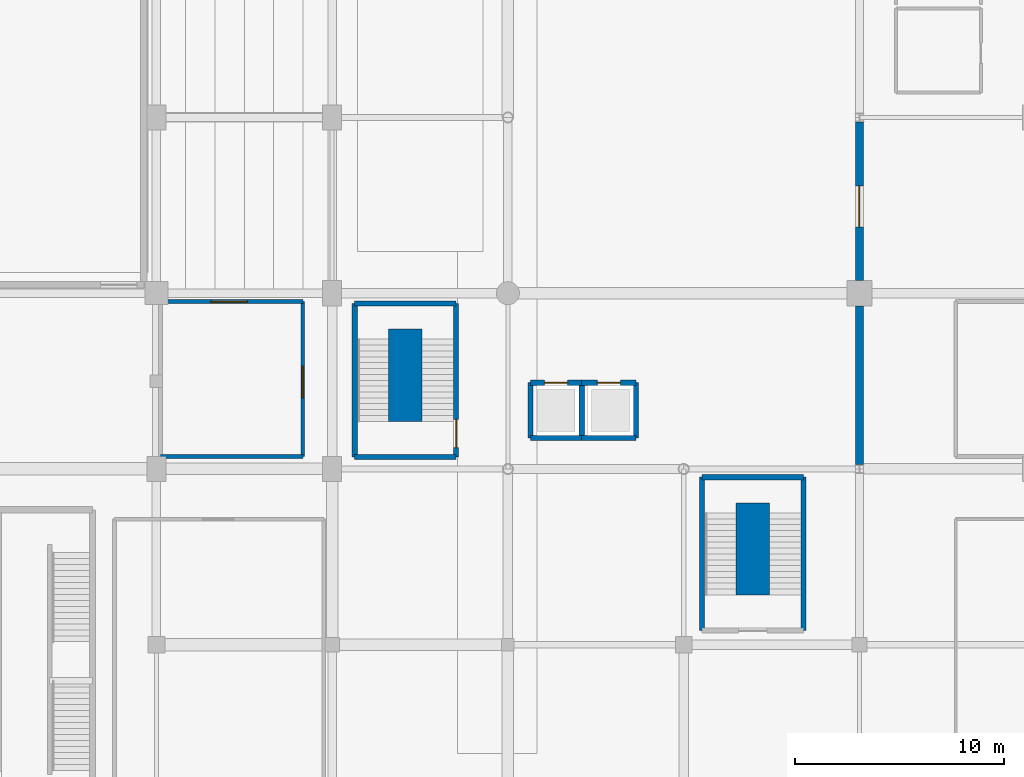
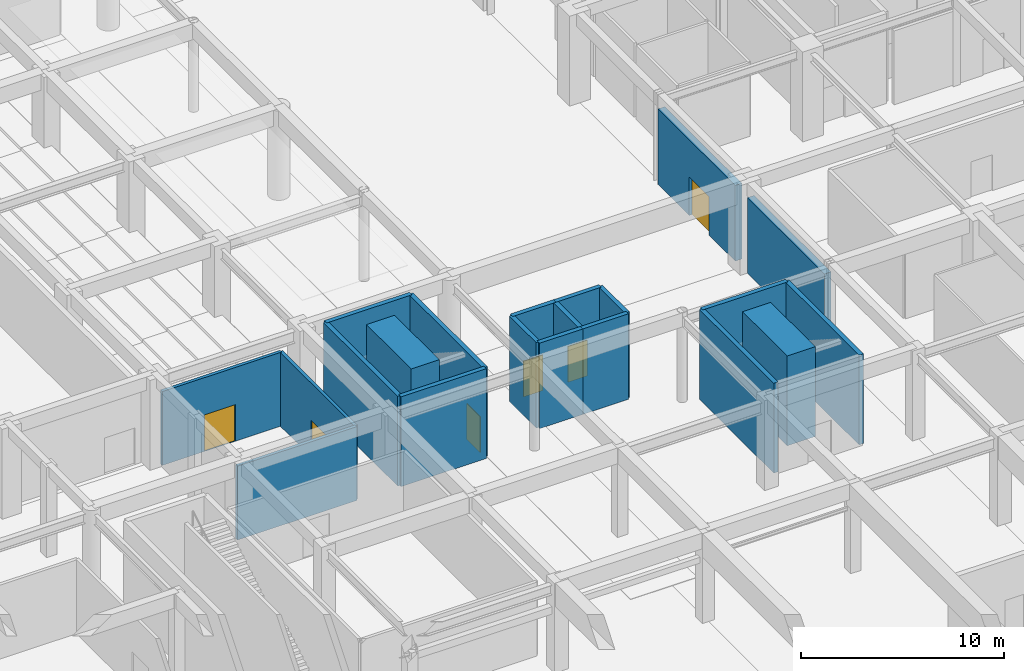
# One storey, part 44 of 62: 21 walls, 6 doors, 6 openings.
"""IFC4 building model written with IfcOpenShell, lengths in metres."""

from ifc_helpers import new_model, si_unit, direction, frame, frame_2d, origin, place, context, subcontext, project, spatial, rectangle, extrude, material, layer, layer_set, type_object, element, fill, save


model = new_model("IFC4")

# Units and contexts
model_context = context("Model", 3, precision=1e-05, world=origin(), true_north=direction((0.0, 1.0)))
body_context = subcontext(model_context, "Body", "Model", "MODEL_VIEW")
ifc_project = project(units=[si_unit("LENGTHUNIT", "METRE"), si_unit("AREAUNIT", "SQUARE_METRE"), si_unit("VOLUMEUNIT", "CUBIC_METRE"), si_unit("PLANEANGLEUNIT", "RADIAN"), si_unit("MASSUNIT", "GRAM", prefix="KILO")], contexts=[model_context])

# Site, building, storey
site_placement = place(None, origin())
site = spatial("IfcSite", under=ifc_project, at=site_placement, CompositionType="ELEMENT")
building_placement = place(site_placement, origin())
building = spatial("IfcBuilding", under=site, at=building_placement, Name="Xuanlan Plaza Opera House", CompositionType="ELEMENT")
storey_placement = place(building_placement, origin())
storey = spatial("IfcBuildingStorey", under=building, at=storey_placement, Name="L00", CompositionType="ELEMENT", Elevation=0.0)

# Wall
ifc_material_1 = material(Name="Gypsum Board and Galvanised Steel Studs", Category="gypsum")
ifc_layer_1 = layer(ifc_material_1, 0.179931640625)
ifc_layer_set_1 = layer_set([ifc_layer_1], Name="Gypsum Board and Galvanised Steel Studs")
wall_type_1 = type_object("IfcWallType", Name="INT-WL-PW-02", PredefinedType="PARTITIONING", material=ifc_layer_set_1)
wall_1_placement = place(storey_placement, frame((92.60009765625, 34.199951171875, 0.0), z_axis=(0.0, 0.0, 1.0), x_axis=(1.0, 0.0, 0.0)))
element("IfcWall", 1, at=wall_1_placement, inside=storey, type_object=wall_type_1, Name="Vomitory Passage South Wall South", PredefinedType="PARTITIONING", context=body_context, shape_type="SweptSolid", body=[
    extrude(rectangle(XDim=6.7998046875, YDim=0.179931640625, at=frame_2d((3.39990234375, 0.0))), origin(), (0.0, 0.0, 1.0), 4.43994140625),
])

# Wall, opening, door
wall_2_placement = place(storey_placement, frame((92.60009765625, 41.60009765625, 0.0), z_axis=(0.0, 0.0, 1.0), x_axis=(1.0, 0.0, 0.0)))
wall_2 = element("IfcWall", 2, at=wall_2_placement, inside=storey, type_object=wall_type_1, Name="Vomitory Passage South Wall North", PredefinedType="PARTITIONING", context=body_context, shape_type="SweptSolid", body=[
    extrude(rectangle(XDim=6.7998046875, YDim=0.179931640625, at=frame_2d((3.39990234375, 0.0))), origin(), (0.0, 0.0, 1.0), 4.43994140625),
])
opening_1_placement = place(wall_2_placement, frame((2.39990234375, 0.0, 0.0)))
opening_1 = element("IfcOpeningElement", 3, at=opening_1_placement, cuts=wall_2, Name="Opening FD-03", PredefinedType="OPENING", context=body_context, shape_type="SweptSolid", body=[
    extrude(rectangle(XDim=1.75, YDim=2.199951171875, at=frame_2d((0.875, 1.10009765625))), frame((0.0, 0.099853515625, 0.0), z_axis=(0.0, -1.0, 0.0), x_axis=(1.0, 0.0, 0.0)), (0.0, 0.0, 1.0), 0.199951171875),
])
ifc_material_2 = material(Name="Galvanised Steel Q235B", Category="steel")
door_type_1 = type_object("IfcDoorType", Name="INT-DR-FD-03", OperationType="DOUBLE_DOOR_SINGLE_SWING", PredefinedType="DOOR", material=ifc_material_2)
door_1_placement = place(opening_1_placement, origin())
door_1 = element("IfcDoor", 4, at=door_1_placement, inside=storey, type_object=door_type_1, Name="Vomitory Passage South Door 1", OperationType="DOUBLE_DOOR_SINGLE_SWING", OverallHeight=2.199951171875, OverallWidth=1.75, PredefinedType="DOOR", context=body_context, shape_type="SweptSolid", body=[
    extrude(rectangle(XDim=1.75, YDim=2.199951171875, at=frame_2d((0.875, 1.10009765625))), frame((0.0, 0.02490234375, 0.0), z_axis=(0.0, -1.0, 0.0), x_axis=(1.0, 0.0, 0.0)), (0.0, 0.0, 1.0), 0.050048828125),
])
fill(opening_1, door_1)

wall_3_placement = place(storey_placement, frame((99.39990234375, 34.199951171875, 0.0), z_axis=(0.0, 0.0, 1.0), x_axis=(0.0, 1.0, 0.0)))
wall_3 = element("IfcWall", 5, at=wall_3_placement, inside=storey, type_object=wall_type_1, Name="Vomitory Passage South Wall East", PredefinedType="PARTITIONING", context=body_context, shape_type="SweptSolid", body=[
    extrude(rectangle(XDim=7.400146484375, YDim=0.179931640625, at=frame_2d((3.7001953125, 0.0))), origin(), (0.0, 0.0, 1.0), 4.43994140625),
])
opening_2_placement = place(wall_3_placement, frame((2.800048828125, 0.0, 0.0)))
opening_2 = element("IfcOpeningElement", 6, at=opening_2_placement, cuts=wall_3, Name="Opening D-03", PredefinedType="OPENING", context=body_context, shape_type="SweptSolid", body=[
    extrude(rectangle(XDim=1.5, YDim=2.199951171875, at=frame_2d((0.75, 1.10009765625))), frame((0.0, 0.099853515625, 0.0), z_axis=(0.0, -1.0, 0.0), x_axis=(1.0, 0.0, 0.0)), (0.0, 0.0, 1.0), 0.199951171875),
])
ifc_material_3 = material(Name="Walnut Hardwood Timber", Category="wood")
door_type_2 = type_object("IfcDoorType", Name="INT-DR-D-03", OperationType="DOUBLE_DOOR_SINGLE_SWING", PredefinedType="DOOR", material=ifc_material_3)
door_2_placement = place(opening_2_placement, origin())
door_2 = element("IfcDoor", 7, at=door_2_placement, inside=storey, type_object=door_type_2, Name="Vomitory Passage South Door 1", OperationType="DOUBLE_DOOR_SINGLE_SWING", OverallHeight=2.199951171875, OverallWidth=1.5, PredefinedType="DOOR", context=body_context, shape_type="SweptSolid", body=[
    extrude(rectangle(XDim=1.5, YDim=2.199951171875, at=frame_2d((0.75, 1.10009765625))), frame((0.0, 0.02490234375, 0.0), z_axis=(0.0, -1.0, 0.0), x_axis=(1.0, 0.0, 0.0)), (0.0, 0.0, 1.0), 0.050048828125),
])
fill(opening_2, door_2)

# Wall
ifc_material_4 = material(Name="Concrete C50", Category="concrete")
ifc_layer_2 = layer(ifc_material_4, 0.3798828125)
ifc_layer_set_2 = layer_set([ifc_layer_2], Name="Concrete C50")
wall_type_2 = type_object("IfcWallType", Name="INT-WL-SW-FW1", PredefinedType="SHEAR", material=ifc_layer_set_2)
wall_4_placement = place(storey_placement, frame((126.0, 33.806884765625, 0.0), z_axis=(0.0, 0.0, 1.0), x_axis=(0.0, 1.0, 0.0)))
element("IfcWall", 8, at=wall_4_placement, inside=storey, type_object=wall_type_2, Name="Opera-Tower Compartment Firewall L00-01", PredefinedType="SHEAR", context=body_context, shape_type="SweptSolid", body=[
    extrude(rectangle(XDim=7.593017578125, YDim=0.3798828125, at=frame_2d((3.79638671875, 0.0))), origin(), (0.0, 0.0, 1.0), 4.550048828125),
])

# Wall, opening, door
wall_5_placement = place(storey_placement, frame((126.0, 42.60009765625, 0.0), z_axis=(0.0, 0.0, 1.0), x_axis=(0.0, 1.0, 0.0)))
wall_5 = element("IfcWall", 9, at=wall_5_placement, inside=storey, type_object=wall_type_2, Name="Opera-Tower Compartment Firewall L00-02", PredefinedType="SHEAR", context=body_context, shape_type="SweptSolid", body=[
    extrude(rectangle(XDim=7.593017578125, YDim=0.3798828125, at=frame_2d((3.79638671875, 0.0))), origin(), (0.0, 0.0, 1.0), 4.550048828125),
])
opening_3_placement = place(wall_5_placement, frame((2.574951171875, 0.0, 0.0)))
opening_3 = element("IfcOpeningElement", 10, at=opening_3_placement, cuts=wall_5, Name="Opening FD-04", PredefinedType="OPENING", context=body_context, shape_type="SweptSolid", body=[
    extrude(rectangle(XDim=1.949951171875, YDim=2.300048828125, at=frame_2d((0.97509765625, 1.14990234375))), frame((0.0, 0.199951171875, 0.0), z_axis=(0.0, -1.0, 0.0), x_axis=(1.0, 0.0, 0.0)), (0.0, 0.0, 1.0), 0.39990234375),
])
door_type_3 = type_object("IfcDoorType", Name="INT-DR-FD-04", OperationType="DOUBLE_DOOR_SINGLE_SWING", PredefinedType="DOOR", material=ifc_material_2)
door_3_placement = place(opening_3_placement, origin())
door_3 = element("IfcDoor", 11, at=door_3_placement, inside=storey, type_object=door_type_3, Name="Compartment Firewall Door L00-02", OperationType="DOUBLE_DOOR_SINGLE_SWING", OverallHeight=2.300048828125, OverallWidth=1.949951171875, PredefinedType="DOOR", context=body_context, shape_type="SweptSolid", body=[
    extrude(rectangle(XDim=1.949951171875, YDim=2.300048828125, at=frame_2d((0.97509765625, 1.14990234375))), frame((0.0, 0.02490234375, 0.0), z_axis=(0.0, -1.0, 0.0), x_axis=(1.0, 0.0, 0.0)), (0.0, 0.0, 1.0), 0.050048828125),
])
fill(opening_3, door_3)

# Wall
ifc_material_5 = material(Name="Concrete C40", Category="concrete")
ifc_layer_3 = layer(ifc_material_5, 0.25)
ifc_layer_set_3 = layer_set([ifc_layer_3], Name="Concrete C40")
wall_type_3 = type_object("IfcWallType", Name="INT-WL-SW-LF1", PredefinedType="SHEAR", material=ifc_layer_set_3)
wall_6_placement = place(storey_placement, frame((110.27490234375, 35.074951171875, 0.0), z_axis=(0.0, 0.0, 1.0), x_axis=(1.0, 0.0, 0.0)))
element("IfcWall", 12, at=wall_6_placement, inside=storey, type_object=wall_type_3, Name="Lift Shaft Wall LF-OP1 L00 South", PredefinedType="SHEAR", context=body_context, shape_type="SweptSolid", body=[
    extrude(rectangle(XDim=2.4501953125, YDim=0.25, at=frame_2d((1.22509765625, 0.0))), origin(), (0.0, 0.0, 1.0), 5.139892578125),
])

# Wall, opening, door
wall_7_placement = place(storey_placement, frame((110.27490234375, 37.72509765625, 0.0), z_axis=(0.0, 0.0, 1.0), x_axis=(1.0, 0.0, 0.0)))
wall_7 = element("IfcWall", 13, at=wall_7_placement, inside=storey, type_object=wall_type_3, Name="Lift Shaft Wall LF-OP1 L00 North", PredefinedType="SHEAR", context=body_context, shape_type="SweptSolid", body=[
    extrude(rectangle(XDim=2.4501953125, YDim=0.25, at=frame_2d((1.22509765625, 0.0))), origin(), (0.0, 0.0, 1.0), 5.139892578125),
])
opening_4_placement = place(wall_7_placement, frame((0.675048828125, 0.0, 0.0)))
opening_4 = element("IfcOpeningElement", 14, at=opening_4_placement, cuts=wall_7, Name="Opening LD-OP1-L00", PredefinedType="OPENING", context=body_context, shape_type="SweptSolid", body=[
    extrude(rectangle(XDim=1.10009765625, YDim=2.14990234375, at=frame_2d((0.550048828125, 1.074951171875))), frame((0.0, 0.135009765625, 0.0), z_axis=(0.0, -1.0, 0.0), x_axis=(1.0, 0.0, 0.0)), (0.0, 0.0, 1.0), 0.27001953125),
])
ifc_material_6 = material(Name="Stainless Steel S30408", Category="steel")
door_type_4 = type_object("IfcDoorType", Name="INT-DR-LD-01", OperationType="DOUBLE_DOOR_SLIDING", PredefinedType="DOOR", material=ifc_material_6)
door_4_placement = place(opening_4_placement, origin())
door_4 = element("IfcDoor", 15, at=door_4_placement, inside=storey, type_object=door_type_4, Name="Lift Sliding Landing Door LF-OP1 L00", OperationType="DOUBLE_DOOR_SLIDING", OverallHeight=2.14990234375, OverallWidth=1.10009765625, PredefinedType="DOOR", context=body_context, shape_type="SweptSolid", body=[
    extrude(rectangle(XDim=1.10009765625, YDim=2.14990234375, at=frame_2d((0.550048828125, 1.074951171875))), frame((0.0, 0.02490234375, 0.0), z_axis=(0.0, -1.0, 0.0), x_axis=(1.0, 0.0, 0.0)), (0.0, 0.0, 1.0), 0.050048828125),
])
fill(opening_4, door_4)

# Walls
for number, where, z_axis, x_axis, name in (
    (16, (110.27490234375, 35.074951171875, 0.0), (0.0, 0.0, 1.0), (0.0, 1.0, 0.0), "Lift Shaft Wall LF-OP1 L00 West"),
    (17, (112.72509765625, 35.074951171875, 0.0), (0.0, 0.0, 1.0), (0.0, 1.0, 0.0), "Lift Shaft Wall LF-OP1 L00 East"),
):
    element("IfcWall", number, at=place(storey_placement, frame(where, z_axis=z_axis, x_axis=x_axis)), inside=storey, type_object=wall_type_3, Name=name, PredefinedType="SHEAR", context=body_context, shape_type="SweptSolid", body=[
        extrude(rectangle(XDim=2.650146484375, YDim=0.25, at=frame_2d((1.3251953125, 0.0))), origin(), (0.0, 0.0, 1.0), 5.139892578125),
    ])
wall_8_placement = place(storey_placement, frame((112.72509765625, 35.074951171875, 0.0), z_axis=(0.0, 0.0, 1.0), x_axis=(1.0, 0.0, 0.0)))
element("IfcWall", 18, at=wall_8_placement, inside=storey, type_object=wall_type_3, Name="Lift Shaft Wall LF-OP2 L00 South", PredefinedType="SHEAR", context=body_context, shape_type="SweptSolid", body=[
    extrude(rectangle(XDim=2.599853515625, YDim=0.25, at=frame_2d((1.2998046875, 0.0))), origin(), (0.0, 0.0, 1.0), 5.139892578125),
])

# Wall, opening, door
wall_9_placement = place(storey_placement, frame((112.72509765625, 37.72509765625, 0.0), z_axis=(0.0, 0.0, 1.0), x_axis=(1.0, 0.0, 0.0)))
wall_9 = element("IfcWall", 19, at=wall_9_placement, inside=storey, type_object=wall_type_3, Name="Lift Shaft Wall LF-OP2 L00 North", PredefinedType="SHEAR", context=body_context, shape_type="SweptSolid", body=[
    extrude(rectangle(XDim=2.599853515625, YDim=0.25, at=frame_2d((1.2998046875, 0.0))), origin(), (0.0, 0.0, 1.0), 5.139892578125),
])
opening_5_placement = place(wall_9_placement, frame((0.75, 0.0, 0.0)))
opening_5 = element("IfcOpeningElement", 20, at=opening_5_placement, cuts=wall_9, Name="Opening LD-OP2-L00", PredefinedType="OPENING", context=body_context, shape_type="SweptSolid", body=[
    extrude(rectangle(XDim=1.10009765625, YDim=2.14990234375, at=frame_2d((0.550048828125, 1.074951171875))), frame((0.0, 0.135009765625, 0.0), z_axis=(0.0, -1.0, 0.0), x_axis=(1.0, 0.0, 0.0)), (0.0, 0.0, 1.0), 0.27001953125),
])
door_5_placement = place(opening_5_placement, origin())
door_5 = element("IfcDoor", 21, at=door_5_placement, inside=storey, type_object=door_type_4, Name="Lift Sliding Landing Door LF-OP2 L00", OperationType="DOUBLE_DOOR_SLIDING", OverallHeight=2.14990234375, OverallWidth=1.10009765625, PredefinedType="DOOR", context=body_context, shape_type="SweptSolid", body=[
    extrude(rectangle(XDim=1.10009765625, YDim=2.14990234375, at=frame_2d((0.550048828125, 1.074951171875))), frame((0.0, 0.02490234375, 0.0), z_axis=(0.0, -1.0, 0.0), x_axis=(1.0, 0.0, 0.0)), (0.0, 0.0, 1.0), 0.050048828125),
])
fill(opening_5, door_5)

# Walls
wall_10_placement = place(storey_placement, frame((115.324951171875, 35.074951171875, 0.0), z_axis=(0.0, 0.0, 1.0), x_axis=(0.0, 1.0, 0.0)))
element("IfcWall", 22, at=wall_10_placement, inside=storey, type_object=wall_type_3, Name="Lift Shaft Wall LF-OP2 L00 East", PredefinedType="SHEAR", context=body_context, shape_type="SweptSolid", body=[
    extrude(rectangle(XDim=2.650146484375, YDim=0.25, at=frame_2d((1.3251953125, 0.0))), origin(), (0.0, 0.0, 1.0), 5.139892578125),
])
ifc_layer_4 = layer(ifc_material_4, 1.60009765625)
ifc_layer_set_4 = layer_set([ifc_layer_4], Name="Concrete C50")
wall_type_4 = type_object("IfcWallType", Name="INT-WL-SW-SP2", PredefinedType="SHEAR", material=ifc_layer_set_4)
wall_11_placement = place(storey_placement, frame((104.300048828125, 35.8798828125, 0.0), z_axis=(0.0, 0.0, 1.0), x_axis=(0.0, 1.0, 0.0)))
element("IfcWall", 23, at=wall_11_placement, inside=storey, type_object=wall_type_4, Name="Half-Turn Stair Structural Spine Wall ST-F1 L00", PredefinedType="SHEAR", context=body_context, shape_type="SweptSolid", body=[
    extrude(rectangle(XDim=4.400146484375, YDim=1.60009765625, at=frame_2d((2.2001953125, 0.0))), origin(), (0.0, 0.0, 1.0), 5.39990234375),
])
wall_12_placement = place(storey_placement, frame((120.89990234375, 27.580078125, 0.0), z_axis=(0.0, 0.0, 1.0), x_axis=(0.0, 1.0, 0.0)))
element("IfcWall", 24, at=wall_12_placement, inside=storey, type_object=wall_type_4, Name="Half-Turn Stair Structural Spine Wall ST-F3 L00", PredefinedType="SHEAR", context=body_context, shape_type="SweptSolid", body=[
    extrude(rectangle(XDim=4.39990234375, YDim=1.60009765625, at=frame_2d((2.199951171875, 0.0))), origin(), (0.0, 0.0, 1.0), 5.39990234375),
])
ifc_layer_5 = layer(ifc_material_5, 0.25)
ifc_layer_set_5 = layer_set([ifc_layer_5], Name="Concrete C40")
wall_type_5 = type_object("IfcWallType", Name="INT-WL-SW-ST2", PredefinedType="SHEAR", material=ifc_layer_set_5)
for number, where, z_axis, x_axis, name in (
    (25, (101.875, 34.175048828125, 0.0), (0.0, 0.0, 1.0), (1.0, 0.0, 0.0), "Stair Core Wall ST-F1 L00 South"),
    (26, (101.875, 41.5048828125, 0.0), (0.0, 0.0, 1.0), (1.0, 0.0, 0.0), "Stair Core Wall ST-F1 L00 North"),
):
    element("IfcWall", number, at=place(storey_placement, frame(where, z_axis=z_axis, x_axis=x_axis)), inside=storey, type_object=wall_type_5, Name=name, PredefinedType="SHEAR", context=body_context, shape_type="SweptSolid", body=[
        extrude(rectangle(XDim=4.85009765625, YDim=0.25, at=frame_2d((2.425048828125, 0.0))), origin(), (0.0, 0.0, 1.0), 5.39990234375),
    ])
wall_13_placement = place(storey_placement, frame((101.875, 34.175048828125, 0.0), z_axis=(0.0, 0.0, 1.0), x_axis=(0.0, 1.0, 0.0)))
element("IfcWall", 27, at=wall_13_placement, inside=storey, type_object=wall_type_5, Name="Stair Core Wall ST-F1 L00 West", PredefinedType="SHEAR", context=body_context, shape_type="SweptSolid", body=[
    extrude(rectangle(XDim=7.329833984375, YDim=0.25, at=frame_2d((3.6650390625, 0.0))), origin(), (0.0, 0.0, 1.0), 5.39990234375),
])

# Wall, opening, door
wall_14_placement = place(storey_placement, frame((106.72509765625, 34.175048828125, 0.0), z_axis=(0.0, 0.0, 1.0), x_axis=(0.0, 1.0, 0.0)))
wall_14 = element("IfcWall", 28, at=wall_14_placement, inside=storey, type_object=wall_type_5, Name="Stair Core Wall ST-F1 L00 East", PredefinedType="SHEAR", context=body_context, shape_type="SweptSolid", body=[
    extrude(rectangle(XDim=7.329833984375, YDim=0.25, at=frame_2d((3.6650390625, 0.0))), origin(), (0.0, 0.0, 1.0), 5.39990234375),
])
opening_6_placement = place(wall_14_placement, frame((0.449951171875, 0.0, 0.0)))
opening_6 = element("IfcOpeningElement", 29, at=opening_6_placement, cuts=wall_14, Name="Opening FD-ST2", PredefinedType="OPENING", context=body_context, shape_type="SweptSolid", body=[
    extrude(rectangle(XDim=1.35009765625, YDim=2.14990234375, at=frame_2d((0.675048828125, 1.074951171875))), frame((0.0, 0.135009765625, 0.0), z_axis=(0.0, -1.0, 0.0), x_axis=(1.0, 0.0, 0.0)), (0.0, 0.0, 1.0), 0.27001953125),
])
door_type_5 = type_object("IfcDoorType", Name="INT-DR-FD-ST2", OperationType="NOTDEFINED", PredefinedType="DOOR", material=ifc_material_2)
door_6_placement = place(opening_6_placement, frame((1.35009765625, 0.0, 0.0), z_axis=(0.0, 0.0, 1.0), x_axis=(-1.0, 0.0, 0.0)))
door_6 = element("IfcDoor", 30, at=door_6_placement, inside=storey, type_object=door_type_5, Name="Stair Enclosure Fire Door ST-F1 L00", OperationType="SINGLE_SWING_LEFT", OverallHeight=2.14990234375, OverallWidth=1.35009765625, PredefinedType="DOOR", context=body_context, shape_type="SweptSolid", body=[
    extrude(rectangle(XDim=1.35009765625, YDim=2.14990234375, at=frame_2d((0.675048828125, 1.074951171875))), frame((0.0, 0.02490234375, 0.0), z_axis=(0.0, -1.0, 0.0), x_axis=(1.0, 0.0, 0.0)), (0.0, 0.0, 1.0), 0.050048828125),
])
fill(opening_6, door_6)

# Walls
wall_15_placement = place(storey_placement, frame((118.47509765625, 33.205078125, 0.0), z_axis=(0.0, 0.0, 1.0), x_axis=(1.0, 0.0, 0.0)))
element("IfcWall", 31, at=wall_15_placement, inside=storey, type_object=wall_type_5, Name="Stair Core Wall ST-F3 L00 North", PredefinedType="SHEAR", context=body_context, shape_type="SweptSolid", body=[
    extrude(rectangle(XDim=4.849853515625, YDim=0.25, at=frame_2d((2.4248046875, 0.0))), origin(), (0.0, 0.0, 1.0), 5.39990234375),
])
for number, where, z_axis, x_axis, name in (
    (32, (118.47509765625, 25.875, 0.0), (0.0, 0.0, 1.0), (0.0, 1.0, 0.0), "Stair Core Wall ST-F3 L00 West"),
    (33, (123.324951171875, 25.875, 0.0), (0.0, 0.0, 1.0), (0.0, 1.0, 0.0), "Stair Core Wall ST-F3 L00 East"),
):
    element("IfcWall", number, at=place(storey_placement, frame(where, z_axis=z_axis, x_axis=x_axis)), inside=storey, type_object=wall_type_5, Name=name, PredefinedType="SHEAR", context=body_context, shape_type="SweptSolid", body=[
        extrude(rectangle(XDim=7.330078125, YDim=0.25, at=frame_2d((3.6650390625, 0.0))), origin(), (0.0, 0.0, 1.0), 5.39990234375),
    ])

save(model, "model.ifc")
